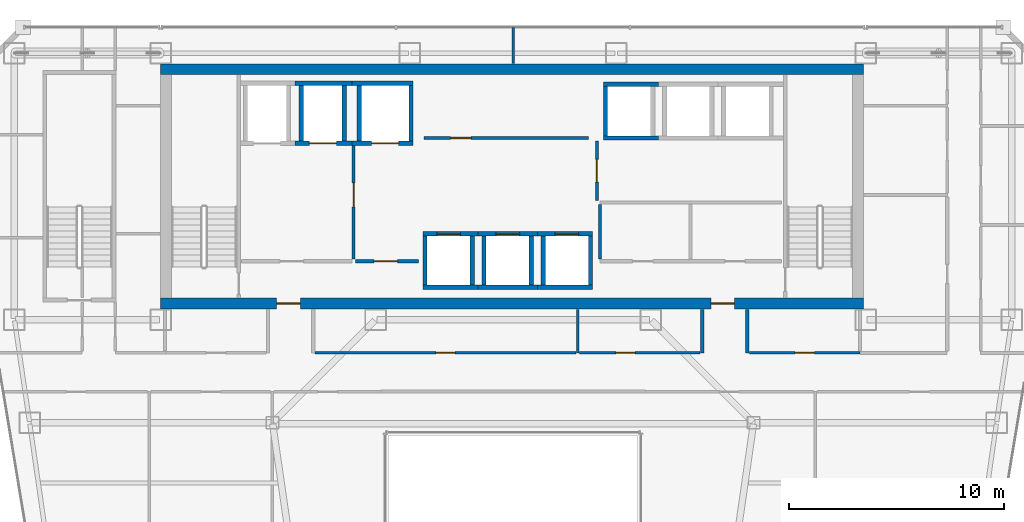
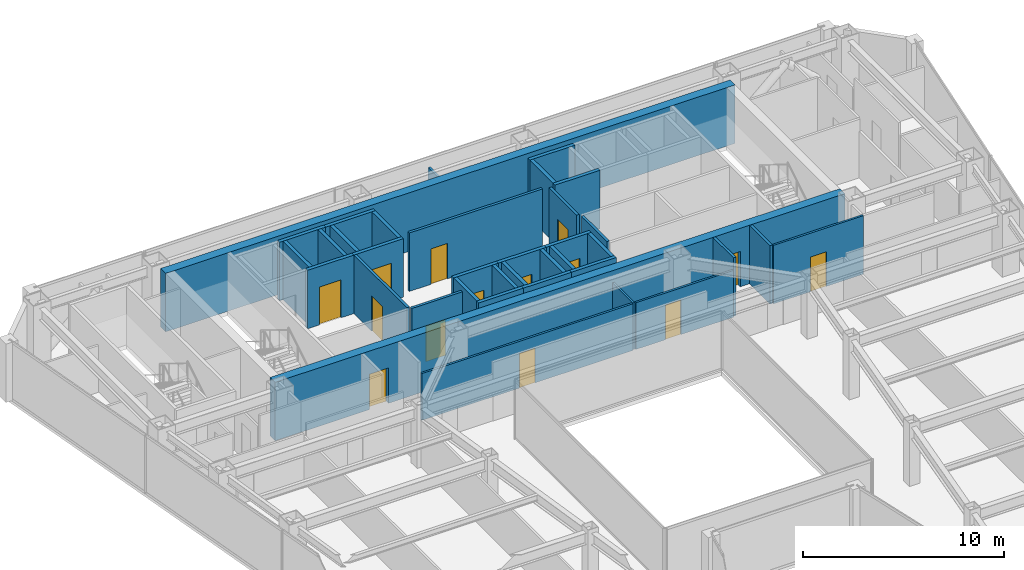
# One storey, part 32 of 37: 37 walls, 14 doors, 14 openings.
"""IFC4 building model written with IfcOpenShell, lengths in metres."""

from ifc_helpers import new_model, si_unit, direction, frame, frame_2d, origin, place, context, subcontext, project, spatial, rectangle, extrude, material, layer, layer_set, type_object, element, fill, save


model = new_model("IFC4")

# Units and contexts
model_context = context("Model", 3, precision=1e-05, world=origin(), true_north=direction((0.0, 1.0)))
body_context = subcontext(model_context, "Body", "Model", "MODEL_VIEW")
ifc_project = project(units=[si_unit("LENGTHUNIT", "METRE"), si_unit("AREAUNIT", "SQUARE_METRE"), si_unit("VOLUMEUNIT", "CUBIC_METRE"), si_unit("PLANEANGLEUNIT", "RADIAN"), si_unit("MASSUNIT", "GRAM", prefix="KILO")], contexts=[model_context])

# Site, building, storey
site_placement = place(None, origin())
site = spatial("IfcSite", under=ifc_project, at=site_placement, CompositionType="ELEMENT")
building_placement = place(site_placement, origin())
building = spatial("IfcBuilding", under=site, at=building_placement, Name="Saevonmaru Cultural Tower", CompositionType="ELEMENT")
storey_placement = place(building_placement, frame((0.0, 0.0, 160.0)))
storey = spatial("IfcBuildingStorey", under=building, at=storey_placement, Name="L35", CompositionType="ELEMENT", Elevation=160.0)

# Wall, openings, doors
ifc_material_1 = material(Name="Concrete C60/75", Category="concrete")
ifc_layer_1 = layer(ifc_material_1, 0.5, Name="Concrete C60/75")
ifc_layer_set_1 = layer_set([ifc_layer_1], Name="Concrete C60/75")
wall_type_1 = type_object("IfcWallType", Name="WL-CORE-500", PredefinedType="SHEAR", material=ifc_layer_set_1)
wall_1_placement = place(storey_placement, frame((13.60009765625, 43.14990234375, 0.0), z_axis=(0.0, 0.0, 1.0), x_axis=(1.0, 0.0, 0.0)))
wall_1 = element("IfcWall", 1, at=wall_1_placement, inside=storey, type_object=wall_type_1, Name="L35 Tower RC core shear wall S", PredefinedType="SHEAR", context=body_context, shape_type="SweptSolid", body=[
    extrude(rectangle(XDim=32.699951171875, YDim=0.5, at=frame_2d((16.35009765625, 0.0))), origin(), (0.0, 0.0, 1.0), 3.550048828125),
])
opening_1_placement = place(wall_1_placement, frame((5.39990234375, 0.0, 0.0)))
opening_1 = element("IfcOpeningElement", 2, at=opening_1_placement, cuts=wall_1, Name="Opening FD-2", PredefinedType="OPENING", context=body_context, shape_type="SweptSolid", body=[
    extrude(rectangle(XDim=1.10009765625, YDim=2.14990234375, at=frame_2d((0.550048828125, 1.074951171875))), frame((0.0, 0.260009765625, 0.0), z_axis=(0.0, -1.0, 0.0), x_axis=(1.0, 0.0, 0.0)), (0.0, 0.0, 1.0), 0.52001953125),
])
opening_2_placement = place(wall_1_placement, frame((25.60009765625, 0.0, 0.0)))
opening_2 = element("IfcOpeningElement", 3, at=opening_2_placement, cuts=wall_1, Name="Opening FD-2", PredefinedType="OPENING", context=body_context, shape_type="SweptSolid", body=[
    extrude(rectangle(XDim=1.10009765625, YDim=2.14990234375, at=frame_2d((0.550048828125, 1.074951171875))), frame((0.0, 0.260009765625, 0.0), z_axis=(0.0, -1.0, 0.0), x_axis=(1.0, 0.0, 0.0)), (0.0, 0.0, 1.0), 0.52001953125),
])
ifc_material_2 = material(Name="Satin Bronze Anodised Aluminium", Category="aluminium")
door_type_1 = type_object("IfcDoorType", Name="DR-FD60-1100", OperationType="SINGLE_SWING_LEFT", PredefinedType="DOOR", material=ifc_material_2)
door_1_placement = place(opening_1_placement, origin())
door_1 = element("IfcDoor", 4, at=door_1_placement, inside=storey, type_object=door_type_1, Name="L35 Core West Lobby Fire Door", OperationType="SINGLE_SWING_LEFT", OverallHeight=2.14990234375, OverallWidth=1.10009765625, PredefinedType="DOOR", context=body_context, shape_type="SweptSolid", body=[
    extrude(rectangle(XDim=1.10009765625, YDim=2.14990234375, at=frame_2d((0.550048828125, 1.074951171875))), frame((0.0, 0.02490234375, 0.0), z_axis=(0.0, -1.0, 0.0), x_axis=(1.0, 0.0, 0.0)), (0.0, 0.0, 1.0), 0.050048828125),
])
fill(opening_1, door_1)
door_2_placement = place(opening_2_placement, origin())
door_2 = element("IfcDoor", 5, at=door_2_placement, inside=storey, type_object=door_type_1, Name="L35 Core East Lobby Fire Door", OperationType="SINGLE_SWING_LEFT", OverallHeight=2.14990234375, OverallWidth=1.10009765625, PredefinedType="DOOR", context=body_context, shape_type="SweptSolid", body=[
    extrude(rectangle(XDim=1.10009765625, YDim=2.14990234375, at=frame_2d((0.550048828125, 1.074951171875))), frame((0.0, 0.02490234375, 0.0), z_axis=(0.0, -1.0, 0.0), x_axis=(1.0, 0.0, 0.0)), (0.0, 0.0, 1.0), 0.050048828125),
])
fill(opening_2, door_2)

# Wall
wall_2_placement = place(storey_placement, frame((13.60009765625, 54.050048828125, 0.0), z_axis=(0.0, 0.0, 1.0), x_axis=(1.0, 0.0, 0.0)))
element("IfcWall", 6, at=wall_2_placement, inside=storey, type_object=wall_type_1, Name="L35 Tower RC core shear wall N", PredefinedType="SHEAR", context=body_context, shape_type="SweptSolid", body=[
    extrude(rectangle(XDim=32.699951171875, YDim=0.5, at=frame_2d((16.35009765625, 0.0))), origin(), (0.0, 0.0, 1.0), 3.550048828125),
])

# Wall, opening, door
ifc_material_3 = material(Name="Gypsum Fireboard Partition", Category="gypsum")
ifc_layer_2 = layer(ifc_material_3, 0.14990234375, Name="Gypsum Fireboard Partition")
ifc_layer_set_2 = layer_set([ifc_layer_2], Name="Gypsum Fireboard Partition")
wall_type_2 = type_object("IfcWallType", Name="WL-CORE-PART-150", PredefinedType="PARTITIONING", material=ifc_layer_set_2)
wall_3_placement = place(storey_placement, frame((22.580078125, 50.550048828125, 0.0), z_axis=(0.0, 0.0, 1.0), x_axis=(0.0, -1.0, 0.0)))
wall_3 = element("IfcWall", 7, at=wall_3_placement, inside=storey, type_object=wall_type_2, Name="L35 Firefighting Lift Lobby East Wall", PredefinedType="PARTITIONING", context=body_context, shape_type="SweptSolid", body=[
    extrude(rectangle(XDim=5.330078125, YDim=0.14990234375, at=frame_2d((2.6650390625, 0.0))), origin(), (0.0, 0.0, 1.0), 3.550048828125),
])
opening_3_placement = place(wall_3_placement, frame((1.800048828125, 0.0, 0.0)))
opening_3 = element("IfcOpeningElement", 8, at=opening_3_placement, cuts=wall_3, Name="Opening FD-2", PredefinedType="OPENING", context=body_context, shape_type="SweptSolid", body=[
    extrude(rectangle(XDim=1.10009765625, YDim=2.14990234375, at=frame_2d((0.550048828125, 1.074951171875))), frame((0.0, 0.0849609375, 0.0), z_axis=(0.0, -1.0, 0.0), x_axis=(1.0, 0.0, 0.0)), (0.0, 0.0, 1.0), 0.169921875),
])
door_3_placement = place(opening_3_placement, origin())
door_3 = element("IfcDoor", 9, at=door_3_placement, inside=storey, type_object=door_type_1, Name="L35 Firefighting Lift Lobby East Door", OperationType="SINGLE_SWING_LEFT", OverallHeight=2.14990234375, OverallWidth=1.10009765625, PredefinedType="DOOR", context=body_context, shape_type="SweptSolid", body=[
    extrude(rectangle(XDim=1.10009765625, YDim=2.14990234375, at=frame_2d((0.550048828125, 1.074951171875))), frame((0.0, 0.02490234375, 0.0), z_axis=(0.0, -1.0, 0.0), x_axis=(1.0, 0.0, 0.0)), (0.0, 0.0, 1.0), 0.050048828125),
])
fill(opening_3, door_3)

wall_4_placement = place(storey_placement, frame((22.679931640625, 45.1201171875, 0.0), z_axis=(0.0, 0.0, 1.0), x_axis=(1.0, 0.0, 0.0)))
wall_4 = element("IfcWall", 10, at=wall_4_placement, inside=storey, type_object=wall_type_2, Name="L35 Service Lift Vestibule Wall", PredefinedType="PARTITIONING", context=body_context, shape_type="SweptSolid", body=[
    extrude(rectangle(XDim=2.920166015625, YDim=0.14990234375, at=frame_2d((1.4599609375, 0.0))), origin(), (0.0, 0.0, 1.0), 3.550048828125),
])
opening_4_placement = place(wall_4_placement, frame((0.85009765625, 0.0, 0.0)))
opening_4 = element("IfcOpeningElement", 11, at=opening_4_placement, cuts=wall_4, Name="Opening FD-2", PredefinedType="OPENING", context=body_context, shape_type="SweptSolid", body=[
    extrude(rectangle(XDim=1.10009765625, YDim=2.14990234375, at=frame_2d((0.550048828125, 1.074951171875))), frame((0.0, 0.0849609375, 0.0), z_axis=(0.0, -1.0, 0.0), x_axis=(1.0, 0.0, 0.0)), (0.0, 0.0, 1.0), 0.169921875),
])
door_4_placement = place(opening_4_placement, origin())
door_4 = element("IfcDoor", 12, at=door_4_placement, inside=storey, type_object=door_type_1, Name="L35 Service Lift Vestibule Door", OperationType="SINGLE_SWING_LEFT", OverallHeight=2.14990234375, OverallWidth=1.10009765625, PredefinedType="DOOR", context=body_context, shape_type="SweptSolid", body=[
    extrude(rectangle(XDim=1.10009765625, YDim=2.14990234375, at=frame_2d((0.550048828125, 1.074951171875))), frame((0.0, 0.02490234375, 0.0), z_axis=(0.0, -1.0, 0.0), x_axis=(1.0, 0.0, 0.0)), (0.0, 0.0, 1.0), 0.050048828125),
])
fill(opening_4, door_4)

wall_5_placement = place(storey_placement, frame((33.89990234375, 47.949951171875, 0.0), z_axis=(0.0, 0.0, 1.0), x_axis=(0.0, 1.0, 0.0)))
wall_5 = element("IfcWall", 13, at=wall_5_placement, inside=storey, type_object=wall_type_2, Name="L35 Zone Lobby Divider", PredefinedType="PARTITIONING", context=body_context, shape_type="SweptSolid", body=[
    extrude(rectangle(XDim=2.75, YDim=0.14990234375, at=frame_2d((1.375, 0.0))), origin(), (0.0, 0.0, 1.0), 3.550048828125),
])
opening_5_placement = place(wall_5_placement, frame((0.85009765625, 0.0, 0.0)))
opening_5 = element("IfcOpeningElement", 14, at=opening_5_placement, cuts=wall_5, Name="Opening ID-1", PredefinedType="OPENING", context=body_context, shape_type="SweptSolid", body=[
    extrude(rectangle(XDim=1.050048828125, YDim=2.14990234375, at=frame_2d((0.52490234375, 1.074951171875))), frame((0.0, 0.0849609375, 0.0), z_axis=(0.0, -1.0, 0.0), x_axis=(1.0, 0.0, 0.0)), (0.0, 0.0, 1.0), 0.169921875),
])
door_type_2 = type_object("IfcDoorType", Name="DR-INT-1050", OperationType="SINGLE_SWING_LEFT", PredefinedType="DOOR", material=ifc_material_2)
door_5_placement = place(opening_5_placement, origin())
door_5 = element("IfcDoor", 15, at=door_5_placement, inside=storey, type_object=door_type_2, Name="L35 Inter-Lobby Link Door", OperationType="SINGLE_SWING_LEFT", OverallHeight=2.14990234375, OverallWidth=1.050048828125, PredefinedType="DOOR", context=body_context, shape_type="SweptSolid", body=[
    extrude(rectangle(XDim=1.050048828125, YDim=2.14990234375, at=frame_2d((0.52490234375, 1.074951171875))), frame((0.0, 0.02490234375, 0.0), z_axis=(0.0, -1.0, 0.0), x_axis=(1.0, 0.0, 0.0)), (0.0, 0.0, 1.0), 0.050048828125),
])
fill(opening_5, door_5)

# Wall
wall_6_placement = place(storey_placement, frame((34.050048828125, 45.219970703125, 0.0), z_axis=(0.0, 0.0, 1.0), x_axis=(0.0, 1.0, 0.0)))
element("IfcWall", 16, at=wall_6_placement, inside=storey, type_object=wall_type_2, Name="L35 Core Plant West Wall", PredefinedType="PARTITIONING", context=body_context, shape_type="SweptSolid", body=[
    extrude(rectangle(XDim=2.530029296875, YDim=0.14990234375, at=frame_2d((1.26513671875, 0.0))), origin(), (0.0, 0.0, 1.0), 3.550048828125),
])

# Wall, opening, door
wall_7_placement = place(storey_placement, frame((25.85009765625, 50.85009765625, 0.0), z_axis=(0.0, 0.0, 1.0), x_axis=(1.0, 0.0, 0.0)))
wall_7 = element("IfcWall", 17, at=wall_7_placement, inside=storey, type_object=wall_type_2, Name="L35 Reclaimed Core Room South Wall", PredefinedType="PARTITIONING", context=body_context, shape_type="SweptSolid", body=[
    extrude(rectangle(XDim=7.64990234375, YDim=0.14990234375, at=frame_2d((3.824951171875, 0.0))), origin(), (0.0, 0.0, 1.0), 3.550048828125),
])
opening_6_placement = place(wall_7_placement, frame((1.25, 0.0, 0.0)))
opening_6 = element("IfcOpeningElement", 18, at=opening_6_placement, cuts=wall_7, Name="Opening FD-4", PredefinedType="OPENING", context=body_context, shape_type="SweptSolid", body=[
    extrude(rectangle(XDim=0.949951171875, YDim=2.14990234375, at=frame_2d((0.47509765625, 1.074951171875))), frame((0.0, 0.0849609375, 0.0), z_axis=(0.0, -1.0, 0.0), x_axis=(1.0, 0.0, 0.0)), (0.0, 0.0, 1.0), 0.169921875),
])
door_type_3 = type_object("IfcDoorType", Name="DR-FD60-950", OperationType="SINGLE_SWING_LEFT", PredefinedType="DOOR", material=ifc_material_2)
door_6_placement = place(opening_6_placement, origin())
door_6 = element("IfcDoor", 19, at=door_6_placement, inside=storey, type_object=door_type_3, Name="L35 Reclaimed Archive Vault Door", OperationType="SINGLE_SWING_LEFT", OverallHeight=2.14990234375, OverallWidth=0.949951171875, PredefinedType="DOOR", context=body_context, shape_type="SweptSolid", body=[
    extrude(rectangle(XDim=0.949951171875, YDim=2.14990234375, at=frame_2d((0.47509765625, 1.074951171875))), frame((0.0, 0.02490234375, 0.0), z_axis=(0.0, -1.0, 0.0), x_axis=(1.0, 0.0, 0.0)), (0.0, 0.0, 1.0), 0.050048828125),
])
fill(opening_6, door_6)

# Walls
ifc_layer_3 = layer(ifc_material_3, 0.14990234375, Name="Gypsum Fireboard Partition")
ifc_layer_set_3 = layer_set([ifc_layer_3], Name="Gypsum Fireboard Partition")
wall_type_3 = type_object("IfcWallType", Name="WL-PART-FIRE-150", PredefinedType="PARTITIONING", material=ifc_layer_set_3)
for number, where, z_axis, x_axis, name in (
    (20, (38.800048828125, 40.85009765625, 0.0), (0.0, 0.0, 1.0), (0.0, 1.0, 0.0), "L35 Core Portal Side Wall E1"),
    (21, (40.89990234375, 40.85009765625, 0.0), (0.0, 0.0, 1.0), (0.0, 1.0, 0.0), "L35 Core Portal Side Wall E2"),
):
    element("IfcWall", number, at=place(storey_placement, frame(where, z_axis=z_axis, x_axis=x_axis)), inside=storey, type_object=wall_type_3, Name=name, PredefinedType="PARTITIONING", context=body_context, shape_type="SweptSolid", body=[
        extrude(rectangle(XDim=2.02978515625, YDim=0.14990234375, at=frame_2d((1.014892578125, 0.0))), origin(), (0.0, 0.0, 1.0), 3.550048828125),
    ])
ifc_layer_4 = layer(ifc_material_3, 0.1201171875, Name="Gypsum Fireboard Partition")
ifc_layer_set_4 = layer_set([ifc_layer_4], Name="Gypsum Fireboard Partition")
wall_type_4 = type_object("IfcWallType", Name="WL-PART-GYP-120", PredefinedType="PARTITIONING", material=ifc_layer_set_4)
wall_8_placement = place(storey_placement, frame((30.0, 54.320068359375, 0.0), z_axis=(0.0, 0.0, 1.0), x_axis=(0.0, 1.0, 0.0)))
element("IfcWall", 22, at=wall_8_placement, inside=storey, type_object=wall_type_4, Name="L35 North Panorama Center Split", PredefinedType="PARTITIONING", context=body_context, shape_type="SweptSolid", body=[
    extrude(rectangle(XDim=1.675048828125, YDim=0.1201171875, at=frame_2d((0.83740234375, 0.0))), origin(), (0.0, 0.0, 1.0), 2.93505859375),
])
wall_9_placement = place(storey_placement, frame((33.0, 40.85009765625, 0.0), z_axis=(0.0, 0.0, 1.0), x_axis=(0.0, 1.0, 0.0)))
element("IfcWall", 23, at=wall_9_placement, inside=storey, type_object=wall_type_4, Name="L35 Spine Alcove Split", PredefinedType="PARTITIONING", context=body_context, shape_type="SweptSolid", body=[
    extrude(rectangle(XDim=2.02978515625, YDim=0.1201171875, at=frame_2d((1.014892578125, 0.0))), origin(), (0.0, 0.0, 1.0), 2.8349609375),
])

# Wall, opening, door
wall_10_placement = place(storey_placement, frame((20.794921875, 40.85009765625, 0.0), z_axis=(0.0, 0.0, 1.0), x_axis=(1.0, 0.0, 0.0)))
wall_10 = element("IfcWall", 24, at=wall_10_placement, inside=storey, type_object=wall_type_4, Name="L35 Translation Research Office Corridor Wall", PredefinedType="PARTITIONING", context=body_context, shape_type="SweptSolid", body=[
    extrude(rectangle(XDim=12.125, YDim=0.1201171875, at=frame_2d((6.0625, 0.0))), origin(), (0.0, 0.0, 1.0), 2.8349609375),
])
opening_7_placement = place(wall_10_placement, frame((5.612060546875, 0.0, 0.0)))
opening_7 = element("IfcOpeningElement", 25, at=opening_7_placement, cuts=wall_10, Name="Opening ID-2", PredefinedType="OPENING", context=body_context, shape_type="SweptSolid", body=[
    extrude(rectangle(XDim=0.89990234375, YDim=2.10009765625, at=frame_2d((0.449951171875, 1.050048828125))), frame((0.0, 0.070068359375, 0.0), z_axis=(0.0, -1.0, 0.0), x_axis=(1.0, 0.0, 0.0)), (0.0, 0.0, 1.0), 0.14013671875),
])
ifc_material_4 = material(Name="Acoustic Stained Oak Timber", Category="wood")
door_type_4 = type_object("IfcDoorType", Name="DR-INT-900", OperationType="SINGLE_SWING_RIGHT", PredefinedType="DOOR", material=ifc_material_4)
door_7_placement = place(opening_7_placement, origin())
door_7 = element("IfcDoor", 26, at=door_7_placement, inside=storey, type_object=door_type_4, Name="L35 Translation Research Office Door", OperationType="SINGLE_SWING_LEFT", OverallHeight=2.10009765625, OverallWidth=0.89990234375, PredefinedType="DOOR", context=body_context, shape_type="SweptSolid", body=[
    extrude(rectangle(XDim=0.89990234375, YDim=2.10009765625, at=frame_2d((0.449951171875, 1.050048828125))), frame((0.0, 0.02490234375, 0.0), z_axis=(0.0, -1.0, 0.0), x_axis=(1.0, 0.0, 0.0)), (0.0, 0.0, 1.0), 0.050048828125),
])
fill(opening_7, door_7)

wall_11_placement = place(storey_placement, frame((33.080078125, 40.85009765625, 0.0), z_axis=(0.0, 0.0, 1.0), x_axis=(1.0, 0.0, 0.0)))
wall_11 = element("IfcWall", 27, at=wall_11_placement, inside=storey, type_object=wall_type_4, Name="L35 Printmaking Workshop Classroom Corridor Wall", PredefinedType="PARTITIONING", context=body_context, shape_type="SweptSolid", body=[
    extrude(rectangle(XDim=5.625, YDim=0.1201171875, at=frame_2d((2.8125, 0.0))), origin(), (0.0, 0.0, 1.0), 2.8349609375),
])
opening_8_placement = place(wall_11_placement, frame((1.701904296875, 0.0, 0.0)))
opening_8 = element("IfcOpeningElement", 28, at=opening_8_placement, cuts=wall_11, Name="Opening ID-2", PredefinedType="OPENING", context=body_context, shape_type="SweptSolid", body=[
    extrude(rectangle(XDim=0.89990234375, YDim=2.10009765625, at=frame_2d((0.449951171875, 1.050048828125))), frame((0.0, 0.070068359375, 0.0), z_axis=(0.0, -1.0, 0.0), x_axis=(1.0, 0.0, 0.0)), (0.0, 0.0, 1.0), 0.14013671875),
])
door_8_placement = place(opening_8_placement, origin())
door_8 = element("IfcDoor", 29, at=door_8_placement, inside=storey, type_object=door_type_4, Name="L35 Printmaking Workshop Classroom Door", OperationType="SINGLE_SWING_RIGHT", OverallHeight=2.10009765625, OverallWidth=0.89990234375, PredefinedType="DOOR", context=body_context, shape_type="SweptSolid", body=[
    extrude(rectangle(XDim=0.89990234375, YDim=2.10009765625, at=frame_2d((0.449951171875, 1.050048828125))), frame((0.0, 0.02490234375, 0.0), z_axis=(0.0, -1.0, 0.0), x_axis=(1.0, 0.0, 0.0)), (0.0, 0.0, 1.0), 0.050048828125),
])
fill(opening_8, door_8)

wall_12_placement = place(storey_placement, frame((40.9951171875, 40.85009765625, 0.0), z_axis=(0.0, 0.0, 1.0), x_axis=(1.0, 0.0, 0.0)))
wall_12 = element("IfcWall", 30, at=wall_12_placement, inside=storey, type_object=wall_type_4, Name="L35 Literature Seminar Meeting Room Corridor Wall", PredefinedType="PARTITIONING", context=body_context, shape_type="SweptSolid", body=[
    extrude(rectangle(XDim=5.15478515625, YDim=0.1201171875, at=frame_2d((2.577392578125, 0.0))), origin(), (0.0, 0.0, 1.0), 3.550048828125),
])
opening_9_placement = place(wall_12_placement, frame((2.1279296875, 0.0, 0.0)))
opening_9 = element("IfcOpeningElement", 31, at=opening_9_placement, cuts=wall_12, Name="Opening ID-2", PredefinedType="OPENING", context=body_context, shape_type="SweptSolid", body=[
    extrude(rectangle(XDim=0.89990234375, YDim=2.10009765625, at=frame_2d((0.449951171875, 1.050048828125))), frame((0.0, 0.070068359375, 0.0), z_axis=(0.0, -1.0, 0.0), x_axis=(1.0, 0.0, 0.0)), (0.0, 0.0, 1.0), 0.14013671875),
])
door_9_placement = place(opening_9_placement, origin())
door_9 = element("IfcDoor", 32, at=door_9_placement, inside=storey, type_object=door_type_4, Name="L35 Literature Seminar Meeting Room Door", OperationType="SINGLE_SWING_LEFT", OverallHeight=2.10009765625, OverallWidth=0.89990234375, PredefinedType="DOOR", context=body_context, shape_type="SweptSolid", body=[
    extrude(rectangle(XDim=0.89990234375, YDim=2.10009765625, at=frame_2d((0.449951171875, 1.050048828125))), frame((0.0, 0.02490234375, 0.0), z_axis=(0.0, -1.0, 0.0), x_axis=(1.0, 0.0, 0.0)), (0.0, 0.0, 1.0), 0.050048828125),
])
fill(opening_9, door_9)

ifc_material_5 = material(Name="Concrete C40/50", Category="concrete")
ifc_layer_5 = layer(ifc_material_5, 0.199951171875, Name="Concrete C40/50")
ifc_layer_set_5 = layer_set([ifc_layer_5], Name="Concrete C40/50")
wall_type_5 = type_object("IfcWallType", Name="WL-SHAFT-200", PredefinedType="SHEAR", material=ifc_layer_set_5)
wall_13_placement = place(storey_placement, frame((19.85009765625, 50.60009765625, 0.0), z_axis=(0.0, 0.0, 1.0), x_axis=(1.0, 0.0, 0.0)))
wall_13 = element("IfcWall", 33, at=wall_13_placement, inside=storey, type_object=wall_type_5, Name="L35 Lift FFL-2 Hoistway Wall S", PredefinedType="SHEAR", context=body_context, shape_type="SweptSolid", body=[
    extrude(rectangle(XDim=2.64990234375, YDim=0.199951171875, at=frame_2d((1.324951171875, 0.0))), origin(), (0.0, 0.0, 1.0), 3.550048828125),
])
opening_10_placement = place(wall_13_placement, frame((0.675048828125, 0.0, 0.0)))
opening_10 = element("IfcOpeningElement", 34, at=opening_10_placement, cuts=wall_13, Name="Opening LD-2", PredefinedType="OPENING", context=body_context, shape_type="SweptSolid", body=[
    extrude(rectangle(XDim=1.25, YDim=2.300048828125, at=frame_2d((0.625, 1.14990234375))), frame((0.0, 0.10986328125, 0.0), z_axis=(0.0, -1.0, 0.0), x_axis=(1.0, 0.0, 0.0)), (0.0, 0.0, 1.0), 0.219970703125),
])
ifc_material_6 = material(Name="Stainless Steel 316", Category="steel")
door_type_5 = type_object("IfcDoorType", Name="DR-LIFT-1250", OperationType="SLIDING_TO_LEFT", PredefinedType="DOOR", material=ifc_material_6)
door_10_placement = place(opening_10_placement, origin())
door_10 = element("IfcDoor", 35, at=door_10_placement, inside=storey, type_object=door_type_5, Name="L35 Lift FFL-2 Sliding Landing Door", OperationType="SLIDING_TO_LEFT", OverallHeight=2.300048828125, OverallWidth=1.25, PredefinedType="DOOR", context=body_context, shape_type="SweptSolid", body=[
    extrude(rectangle(XDim=1.25, YDim=2.300048828125, at=frame_2d((0.625, 1.14990234375))), frame((0.0, 0.02490234375, 0.0), z_axis=(0.0, -1.0, 0.0), x_axis=(1.0, 0.0, 0.0)), (0.0, 0.0, 1.0), 0.050048828125),
])
fill(opening_10, door_10)

# Walls
wall_14_placement = place(storey_placement, frame((19.85009765625, 53.39990234375, 0.0), z_axis=(0.0, 0.0, 1.0), x_axis=(1.0, 0.0, 0.0)))
element("IfcWall", 36, at=wall_14_placement, inside=storey, type_object=wall_type_5, Name="L35 Lift FFL-2 Hoistway Wall N", PredefinedType="SHEAR", context=body_context, shape_type="SweptSolid", body=[
    extrude(rectangle(XDim=2.64990234375, YDim=0.199951171875, at=frame_2d((1.324951171875, 0.0))), origin(), (0.0, 0.0, 1.0), 3.550048828125),
])
for number, where, z_axis, x_axis, name in (
    (37, (20.14990234375, 50.699951171875, 0.0), (0.0, 0.0, 1.0), (0.0, 1.0, 0.0), "L35 Lift FFL-2 Hoistway Wall W"),
    (38, (22.14990234375, 50.699951171875, 0.0), (0.0, 0.0, 1.0), (0.0, 1.0, 0.0), "L35 Lift FFL-2 Hoistway Wall E"),
):
    element("IfcWall", number, at=place(storey_placement, frame(where, z_axis=z_axis, x_axis=x_axis)), inside=storey, type_object=wall_type_5, Name=name, PredefinedType="SHEAR", context=body_context, shape_type="SweptSolid", body=[
        extrude(rectangle(XDim=2.60009765625, YDim=0.199951171875, at=frame_2d((1.300048828125, 0.0))), origin(), (0.0, 0.0, 1.0), 3.550048828125),
    ])

# Wall, opening, door
wall_15_placement = place(storey_placement, frame((22.5, 50.60009765625, 0.0), z_axis=(0.0, 0.0, 1.0), x_axis=(1.0, 0.0, 0.0)))
wall_15 = element("IfcWall", 39, at=wall_15_placement, inside=storey, type_object=wall_type_5, Name="L35 Lift GL-1 Hoistway Wall S", PredefinedType="SHEAR", context=body_context, shape_type="SweptSolid", body=[
    extrude(rectangle(XDim=2.85009765625, YDim=0.199951171875, at=frame_2d((1.425048828125, 0.0))), origin(), (0.0, 0.0, 1.0), 3.550048828125),
])
opening_11_placement = place(wall_15_placement, frame((0.925048828125, 0.0, 0.0)))
opening_11 = element("IfcOpeningElement", 40, at=opening_11_placement, cuts=wall_15, Name="Opening LD-2", PredefinedType="OPENING", context=body_context, shape_type="SweptSolid", body=[
    extrude(rectangle(XDim=1.25, YDim=2.300048828125, at=frame_2d((0.625, 1.14990234375))), frame((0.0, 0.10986328125, 0.0), z_axis=(0.0, -1.0, 0.0), x_axis=(1.0, 0.0, 0.0)), (0.0, 0.0, 1.0), 0.219970703125),
])
door_11_placement = place(opening_11_placement, origin())
door_11 = element("IfcDoor", 41, at=door_11_placement, inside=storey, type_object=door_type_5, Name="L35 Lift GL-1 Sliding Landing Door", OperationType="SLIDING_TO_LEFT", OverallHeight=2.300048828125, OverallWidth=1.25, PredefinedType="DOOR", context=body_context, shape_type="SweptSolid", body=[
    extrude(rectangle(XDim=1.25, YDim=2.300048828125, at=frame_2d((0.625, 1.14990234375))), frame((0.0, 0.02490234375, 0.0), z_axis=(0.0, -1.0, 0.0), x_axis=(1.0, 0.0, 0.0)), (0.0, 0.0, 1.0), 0.050048828125),
])
fill(opening_11, door_11)

# Walls
wall_16_placement = place(storey_placement, frame((22.5, 53.39990234375, 0.0), z_axis=(0.0, 0.0, 1.0), x_axis=(1.0, 0.0, 0.0)))
element("IfcWall", 42, at=wall_16_placement, inside=storey, type_object=wall_type_5, Name="L35 Lift GL-1 Hoistway Wall N", PredefinedType="SHEAR", context=body_context, shape_type="SweptSolid", body=[
    extrude(rectangle(XDim=2.85009765625, YDim=0.199951171875, at=frame_2d((1.425048828125, 0.0))), origin(), (0.0, 0.0, 1.0), 3.550048828125),
])
for number, where, z_axis, x_axis, name in (
    (43, (22.85009765625, 50.699951171875, 0.0), (0.0, 0.0, 1.0), (0.0, 1.0, 0.0), "L35 Lift GL-1 Hoistway Wall W"),
    (44, (25.25, 50.699951171875, 0.0), (0.0, 0.0, 1.0), (0.0, 1.0, 0.0), "L35 Lift GL-1 Hoistway Wall E"),
):
    element("IfcWall", number, at=place(storey_placement, frame(where, z_axis=z_axis, x_axis=x_axis)), inside=storey, type_object=wall_type_5, Name=name, PredefinedType="SHEAR", context=body_context, shape_type="SweptSolid", body=[
        extrude(rectangle(XDim=2.60009765625, YDim=0.199951171875, at=frame_2d((1.300048828125, 0.0))), origin(), (0.0, 0.0, 1.0), 3.550048828125),
    ])
wall_17_placement = place(storey_placement, frame((25.800048828125, 43.89990234375, 0.0), z_axis=(0.0, 0.0, 1.0), x_axis=(1.0, 0.0, 0.0)))
element("IfcWall", 45, at=wall_17_placement, inside=storey, type_object=wall_type_5, Name="L35 Lift PL-M1 Hoistway Wall S", PredefinedType="SHEAR", context=body_context, shape_type="SweptSolid", body=[
    extrude(rectangle(XDim=2.574951171875, YDim=0.199951171875, at=frame_2d((1.28759765625, 0.0))), origin(), (0.0, 0.0, 1.0), 3.550048828125),
])

# Wall, opening, door
wall_18_placement = place(storey_placement, frame((25.800048828125, 46.39990234375, 0.0), z_axis=(0.0, 0.0, 1.0), x_axis=(1.0, 0.0, 0.0)))
wall_18 = element("IfcWall", 46, at=wall_18_placement, inside=storey, type_object=wall_type_5, Name="L35 Lift PL-M1 Hoistway Wall N", PredefinedType="SHEAR", context=body_context, shape_type="SweptSolid", body=[
    extrude(rectangle(XDim=2.574951171875, YDim=0.199951171875, at=frame_2d((1.28759765625, 0.0))), origin(), (0.0, 0.0, 1.0), 3.550048828125),
])
opening_12_placement = place(wall_18_placement, frame((0.64990234375, 0.0, 0.0)))
opening_12 = element("IfcOpeningElement", 47, at=opening_12_placement, cuts=wall_18, Name="Opening LD-1", PredefinedType="OPENING", context=body_context, shape_type="SweptSolid", body=[
    extrude(rectangle(XDim=1.10009765625, YDim=2.199951171875, at=frame_2d((0.550048828125, 1.10009765625))), frame((0.0, 0.10986328125, 0.0), z_axis=(0.0, -1.0, 0.0), x_axis=(1.0, 0.0, 0.0)), (0.0, 0.0, 1.0), 0.219970703125),
])
ifc_material_7 = material(Name="Satin Bronze Stainless Steel", Category="steel")
door_type_6 = type_object("IfcDoorType", Name="DR-LIFT-1100", OperationType="SLIDING_TO_LEFT", PredefinedType="DOOR", material=ifc_material_7)
door_12_placement = place(opening_12_placement, origin())
door_12 = element("IfcDoor", 48, at=door_12_placement, inside=storey, type_object=door_type_6, Name="L35 Lift PL-M1 Sliding Landing Door", OperationType="SLIDING_TO_LEFT", OverallHeight=2.199951171875, OverallWidth=1.10009765625, PredefinedType="DOOR", context=body_context, shape_type="SweptSolid", body=[
    extrude(rectangle(XDim=1.10009765625, YDim=2.199951171875, at=frame_2d((0.550048828125, 1.10009765625))), frame((0.0, 0.02490234375, 0.0), z_axis=(0.0, -1.0, 0.0), x_axis=(1.0, 0.0, 0.0)), (0.0, 0.0, 1.0), 0.050048828125),
])
fill(opening_12, door_12)

# Walls
for number, where, z_axis, x_axis, name in (
    (49, (25.89990234375, 44.0, 0.0), (0.0, 0.0, 1.0), (0.0, 1.0, 0.0), "L35 Lift PL-M1 Hoistway Wall W"),
    (50, (28.10009765625, 44.0, 0.0), (0.0, 0.0, 1.0), (0.0, 1.0, 0.0), "L35 Lift PL-M1 Hoistway Wall E"),
):
    element("IfcWall", number, at=place(storey_placement, frame(where, z_axis=z_axis, x_axis=x_axis)), inside=storey, type_object=wall_type_5, Name=name, PredefinedType="SHEAR", context=body_context, shape_type="SweptSolid", body=[
        extrude(rectangle(XDim=2.300048828125, YDim=0.199951171875, at=frame_2d((1.14990234375, 0.0))), origin(), (0.0, 0.0, 1.0), 3.550048828125),
    ])
wall_19_placement = place(storey_placement, frame((28.375, 43.89990234375, 0.0), z_axis=(0.0, 0.0, 1.0), x_axis=(1.0, 0.0, 0.0)))
element("IfcWall", 51, at=wall_19_placement, inside=storey, type_object=wall_type_5, Name="L35 Lift PL-M2 Hoistway Wall S", PredefinedType="SHEAR", context=body_context, shape_type="SweptSolid", body=[
    extrude(rectangle(XDim=2.75, YDim=0.199951171875, at=frame_2d((1.375, 0.0))), origin(), (0.0, 0.0, 1.0), 3.550048828125),
])

# Wall, opening, door
wall_20_placement = place(storey_placement, frame((28.375, 46.39990234375, 0.0), z_axis=(0.0, 0.0, 1.0), x_axis=(1.0, 0.0, 0.0)))
wall_20 = element("IfcWall", 52, at=wall_20_placement, inside=storey, type_object=wall_type_5, Name="L35 Lift PL-M2 Hoistway Wall N", PredefinedType="SHEAR", context=body_context, shape_type="SweptSolid", body=[
    extrude(rectangle(XDim=2.75, YDim=0.199951171875, at=frame_2d((1.375, 0.0))), origin(), (0.0, 0.0, 1.0), 3.550048828125),
])
opening_13_placement = place(wall_20_placement, frame((0.824951171875, 0.0, 0.0)))
opening_13 = element("IfcOpeningElement", 53, at=opening_13_placement, cuts=wall_20, Name="Opening LD-1", PredefinedType="OPENING", context=body_context, shape_type="SweptSolid", body=[
    extrude(rectangle(XDim=1.10009765625, YDim=2.199951171875, at=frame_2d((0.550048828125, 1.10009765625))), frame((0.0, 0.10986328125, 0.0), z_axis=(0.0, -1.0, 0.0), x_axis=(1.0, 0.0, 0.0)), (0.0, 0.0, 1.0), 0.219970703125),
])
door_13_placement = place(opening_13_placement, origin())
door_13 = element("IfcDoor", 54, at=door_13_placement, inside=storey, type_object=door_type_6, Name="L35 Lift PL-M2 Sliding Landing Door", OperationType="SLIDING_TO_LEFT", OverallHeight=2.199951171875, OverallWidth=1.10009765625, PredefinedType="DOOR", context=body_context, shape_type="SweptSolid", body=[
    extrude(rectangle(XDim=1.10009765625, YDim=2.199951171875, at=frame_2d((0.550048828125, 1.10009765625))), frame((0.0, 0.02490234375, 0.0), z_axis=(0.0, -1.0, 0.0), x_axis=(1.0, 0.0, 0.0)), (0.0, 0.0, 1.0), 0.050048828125),
])
fill(opening_13, door_13)

# Walls
for number, where, z_axis, x_axis, name in (
    (55, (28.64990234375, 44.0, 0.0), (0.0, 0.0, 1.0), (0.0, 1.0, 0.0), "L35 Lift PL-M2 Hoistway Wall W"),
    (56, (30.85009765625, 44.0, 0.0), (0.0, 0.0, 1.0), (0.0, 1.0, 0.0), "L35 Lift PL-M2 Hoistway Wall E"),
):
    element("IfcWall", number, at=place(storey_placement, frame(where, z_axis=z_axis, x_axis=x_axis)), inside=storey, type_object=wall_type_5, Name=name, PredefinedType="SHEAR", context=body_context, shape_type="SweptSolid", body=[
        extrude(rectangle(XDim=2.300048828125, YDim=0.199951171875, at=frame_2d((1.14990234375, 0.0))), origin(), (0.0, 0.0, 1.0), 3.550048828125),
    ])
wall_21_placement = place(storey_placement, frame((31.125, 43.89990234375, 0.0), z_axis=(0.0, 0.0, 1.0), x_axis=(1.0, 0.0, 0.0)))
element("IfcWall", 57, at=wall_21_placement, inside=storey, type_object=wall_type_5, Name="L35 Lift PL-M3 Hoistway Wall S", PredefinedType="SHEAR", context=body_context, shape_type="SweptSolid", body=[
    extrude(rectangle(XDim=2.574951171875, YDim=0.199951171875, at=frame_2d((1.28759765625, 0.0))), origin(), (0.0, 0.0, 1.0), 3.550048828125),
])

# Wall, opening, door
wall_22_placement = place(storey_placement, frame((31.125, 46.39990234375, 0.0), z_axis=(0.0, 0.0, 1.0), x_axis=(1.0, 0.0, 0.0)))
wall_22 = element("IfcWall", 58, at=wall_22_placement, inside=storey, type_object=wall_type_5, Name="L35 Lift PL-M3 Hoistway Wall N", PredefinedType="SHEAR", context=body_context, shape_type="SweptSolid", body=[
    extrude(rectangle(XDim=2.574951171875, YDim=0.199951171875, at=frame_2d((1.28759765625, 0.0))), origin(), (0.0, 0.0, 1.0), 3.550048828125),
])
opening_14_placement = place(wall_22_placement, frame((0.824951171875, 0.0, 0.0)))
opening_14 = element("IfcOpeningElement", 59, at=opening_14_placement, cuts=wall_22, Name="Opening LD-1", PredefinedType="OPENING", context=body_context, shape_type="SweptSolid", body=[
    extrude(rectangle(XDim=1.10009765625, YDim=2.199951171875, at=frame_2d((0.550048828125, 1.10009765625))), frame((0.0, 0.10986328125, 0.0), z_axis=(0.0, -1.0, 0.0), x_axis=(1.0, 0.0, 0.0)), (0.0, 0.0, 1.0), 0.219970703125),
])
door_14_placement = place(opening_14_placement, origin())
door_14 = element("IfcDoor", 60, at=door_14_placement, inside=storey, type_object=door_type_6, Name="L35 Lift PL-M3 Sliding Landing Door", OperationType="SLIDING_TO_LEFT", OverallHeight=2.199951171875, OverallWidth=1.10009765625, PredefinedType="DOOR", context=body_context, shape_type="SweptSolid", body=[
    extrude(rectangle(XDim=1.10009765625, YDim=2.199951171875, at=frame_2d((0.550048828125, 1.10009765625))), frame((0.0, 0.02490234375, 0.0), z_axis=(0.0, -1.0, 0.0), x_axis=(1.0, 0.0, 0.0)), (0.0, 0.0, 1.0), 0.050048828125),
])
fill(opening_14, door_14)

# Walls
for number, where, z_axis, x_axis, name in (
    (61, (31.39990234375, 44.0, 0.0), (0.0, 0.0, 1.0), (0.0, 1.0, 0.0), "L35 Lift PL-M3 Hoistway Wall W"),
    (62, (33.60009765625, 44.0, 0.0), (0.0, 0.0, 1.0), (0.0, 1.0, 0.0), "L35 Lift PL-M3 Hoistway Wall E"),
):
    element("IfcWall", number, at=place(storey_placement, frame(where, z_axis=z_axis, x_axis=x_axis)), inside=storey, type_object=wall_type_5, Name=name, PredefinedType="SHEAR", context=body_context, shape_type="SweptSolid", body=[
        extrude(rectangle(XDim=2.300048828125, YDim=0.199951171875, at=frame_2d((1.14990234375, 0.0))), origin(), (0.0, 0.0, 1.0), 3.550048828125),
    ])
for number, where, z_axis, x_axis, name in (
    (63, (34.199951171875, 50.85009765625, 0.0), (0.0, 0.0, 1.0), (1.0, 0.0, 0.0), "L35 Lift PL-H1 Hoistway Wall S"),
    (64, (34.199951171875, 53.35009765625, 0.0), (0.0, 0.0, 1.0), (1.0, 0.0, 0.0), "L35 Lift PL-H1 Hoistway Wall N"),
):
    element("IfcWall", number, at=place(storey_placement, frame(where, z_axis=z_axis, x_axis=x_axis)), inside=storey, type_object=wall_type_5, Name=name, PredefinedType="SHEAR", context=body_context, shape_type="SweptSolid", body=[
        extrude(rectangle(XDim=2.574951171875, YDim=0.199951171875, at=frame_2d((1.28759765625, 0.0))), origin(), (0.0, 0.0, 1.0), 3.550048828125),
    ])
wall_23_placement = place(storey_placement, frame((34.300048828125, 50.949951171875, 0.0), z_axis=(0.0, 0.0, 1.0), x_axis=(0.0, 1.0, 0.0)))
element("IfcWall", 65, at=wall_23_placement, inside=storey, type_object=wall_type_5, Name="L35 Lift PL-H1 Hoistway Wall W", PredefinedType="SHEAR", context=body_context, shape_type="SweptSolid", body=[
    extrude(rectangle(XDim=2.300048828125, YDim=0.199951171875, at=frame_2d((1.14990234375, 0.0))), origin(), (0.0, 0.0, 1.0), 3.550048828125),
])

save(model, "model.ifc")
